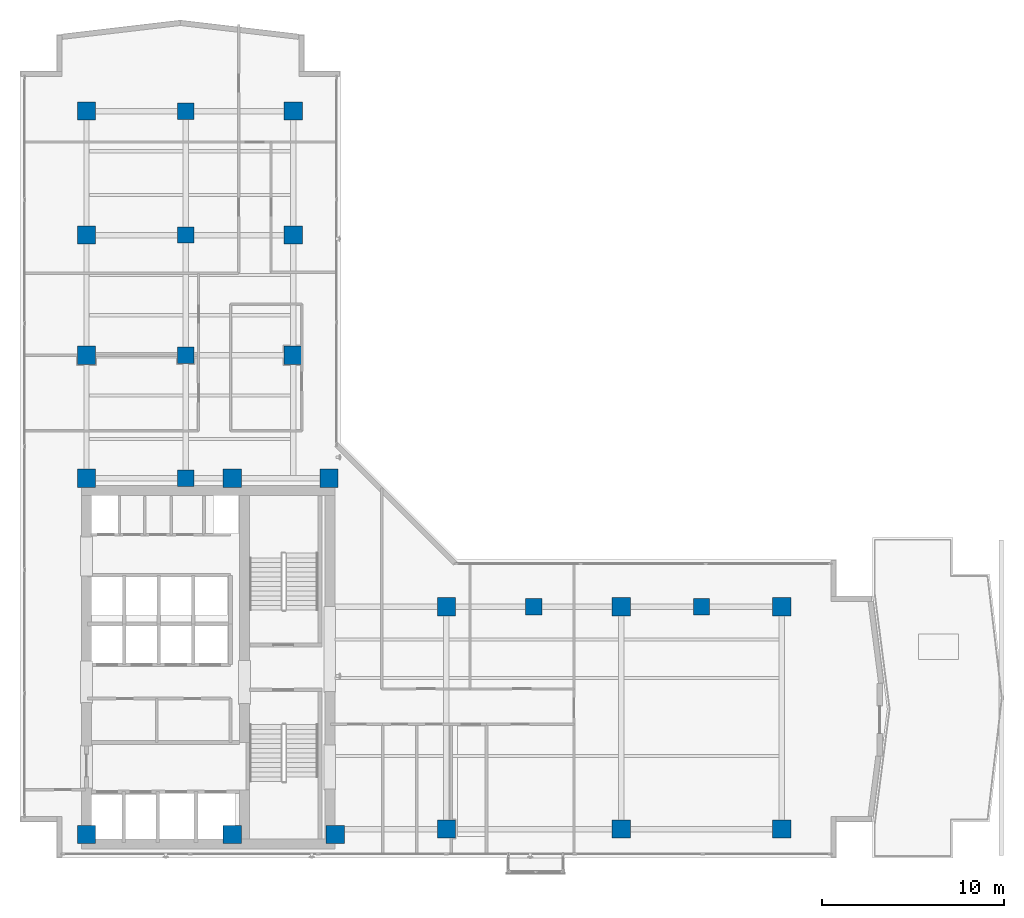
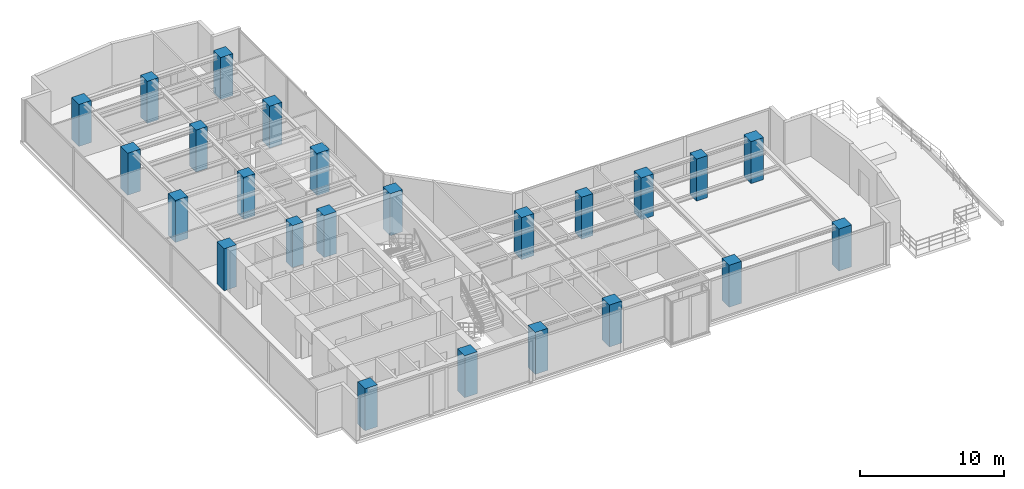
# One storey, part 1 of 25: 24 columns.
"""IFC4 building model written with IfcOpenShell, lengths in metres."""

from ifc_helpers import new_model, si_unit, direction, frame, origin, origin_2d, place, context, subcontext, project, spatial, rectangle, extrude, material, material_profile, profile_set, type_object, element, save


model = new_model("IFC4")

# Units and contexts
model_context = context("Model", 3, precision=1e-05, world=origin(), true_north=direction((0.0, 1.0)))
body_context = subcontext(model_context, "Body", "Model", "MODEL_VIEW")
ifc_project = project(units=[si_unit("LENGTHUNIT", "METRE"), si_unit("AREAUNIT", "SQUARE_METRE"), si_unit("VOLUMEUNIT", "CUBIC_METRE"), si_unit("PLANEANGLEUNIT", "RADIAN"), si_unit("MASSUNIT", "GRAM", prefix="KILO")], contexts=[model_context])

# Site, building, storey
site_placement = place(None, origin())
site = spatial("IfcSite", under=ifc_project, at=site_placement, CompositionType="ELEMENT")
building_placement = place(site_placement, origin())
building = spatial("IfcBuilding", under=site, at=building_placement, Name="Kolvaren Waterfront Exchange", CompositionType="ELEMENT")
storey_placement = place(building_placement, frame((0.0, 0.0, 204.5)))
storey = spatial("IfcBuildingStorey", under=building, at=storey_placement, Name="L52", CompositionType="ELEMENT", Elevation=204.5)

# Columns
ifc_material = material(Name="Concrete C50/60", Category="concrete")
ifc_material_profile_1 = material_profile(ifc_material, rectangle(XDim=1.0, YDim=1.0, at=origin_2d()), Name="RC-COL-1000x1000")
ifc_profile_set_1 = profile_set([ifc_material_profile_1], Name="Concrete C50/60")
column_type_1 = type_object("IfcColumnType", Name="STR-COL-1000-C50", PredefinedType="COLUMN", material=ifc_profile_set_1)
for number, where, z_axis, x_axis, name in (
    (1, (7.449951171875, 4.89990234375, 0.0), (0.0, 0.0, 1.0), (1.0, 0.0, 0.0), "L52 column MC01"),
    (2, (15.449951171875, 4.89990234375, 0.0), (0.0, 0.0, 1.0), (1.0, 0.0, 0.0), "L52 column MC02"),
    (3, (21.10009765625, 4.89990234375, 0.0), (0.0, 0.0, 1.0), (1.0, 0.0, 0.0), "L52 column MC03"),
    (4, (7.449951171875, 24.449951171875, 0.0), (0.0, 0.0, 1.0), (1.0, 0.0, 0.0), "L52 column MC04"),
    (5, (15.449951171875, 24.449951171875, 0.0), (0.0, 0.0, 1.0), (1.0, 0.0, 0.0), "L52 column MC05"),
    (6, (20.75, 24.449951171875, 0.0), (0.0, 0.0, 1.0), (1.0, 0.0, 0.0), "L52 column MC06"),
    (7, (7.449951171875, 31.199951171875, 0.0), (0.0, 0.0, 1.0), (1.0, 0.0, 0.0), "L52 column NC01"),
    (8, (7.449951171875, 37.800048828125, 0.0), (0.0, 0.0, 1.0), (1.0, 0.0, 0.0), "L52 column NC02"),
    (9, (7.449951171875, 44.60009765625, 0.0), (0.0, 0.0, 1.0), (1.0, 0.0, 0.0), "L52 column NC03"),
    (10, (18.800048828125, 31.199951171875, 0.0), (0.0, 0.0, 1.0), (1.0, 0.0, 0.0), "L52 column NC04"),
    (11, (18.800048828125, 37.800048828125, 0.0), (0.0, 0.0, 1.0), (1.0, 0.0, 0.0), "L52 column NC05"),
    (12, (18.800048828125, 44.60009765625, 0.0), (0.0, 0.0, 1.0), (1.0, 0.0, 0.0), "L52 column NC06"),
    (13, (27.199951171875, 5.199951171875, 0.0), (0.0, 0.0, 1.0), (1.0, 0.0, 0.0), "L52 column EC01"),
    (14, (36.800048828125, 5.199951171875, 0.0), (0.0, 0.0, 1.0), (1.0, 0.0, 0.0), "L52 column EC02"),
    (15, (45.60009765625, 5.199951171875, 0.0), (0.0, 0.0, 1.0), (1.0, 0.0, 0.0), "L52 column EC03"),
    (16, (27.199951171875, 17.39990234375, 0.0), (0.0, 0.0, 1.0), (1.0, 0.0, 0.0), "L52 column EC04"),
    (17, (36.800048828125, 17.39990234375, 0.0), (0.0, 0.0, 1.0), (1.0, 0.0, 0.0), "L52 column EC05"),
    (18, (45.60009765625, 17.39990234375, 0.0), (0.0, 0.0, 1.0), (1.0, 0.0, 0.0), "L52 column EC06"),
):
    element("IfcColumn", number, at=place(storey_placement, frame(where, z_axis=z_axis, x_axis=x_axis)), inside=storey, type_object=column_type_1, Name=name, PredefinedType="COLUMN", context=body_context, shape_type="SweptSolid", body=[
        extrude(rectangle(XDim=1.0, YDim=1.0, at=origin_2d()), origin(), (0.0, 0.0, 1.0), 3.56005859375),
    ])
ifc_material_profile_2 = material_profile(ifc_material, rectangle(XDim=0.89990234375, YDim=0.89990234375, at=origin_2d()), Name="RC-COL-900x900")
ifc_profile_set_2 = profile_set([ifc_material_profile_2], Name="Concrete C50/60")
column_type_2 = type_object("IfcColumnType", Name="STR-COL-900-C50", PredefinedType="COLUMN", material=ifc_profile_set_2)
for number, where, z_axis, x_axis, name in (
    (19, (12.89990234375, 24.449951171875, 0.0), (0.0, 0.0, 1.0), (1.0, 0.0, 0.0), "L52 column TC01"),
    (20, (12.89990234375, 31.199951171875, 0.0), (0.0, 0.0, 1.0), (1.0, 0.0, 0.0), "L52 column TC02"),
    (21, (12.89990234375, 37.800048828125, 0.0), (0.0, 0.0, 1.0), (1.0, 0.0, 0.0), "L52 column TC03"),
    (22, (12.89990234375, 44.60009765625, 0.0), (0.0, 0.0, 1.0), (1.0, 0.0, 0.0), "L52 column TC04"),
    (23, (32.0, 17.39990234375, 0.0), (0.0, 0.0, 1.0), (1.0, 0.0, 0.0), "L52 column TC05"),
    (24, (41.199951171875, 17.39990234375, 0.0), (0.0, 0.0, 1.0), (1.0, 0.0, 0.0), "L52 column TC06"),
):
    element("IfcColumn", number, at=place(storey_placement, frame(where, z_axis=z_axis, x_axis=x_axis)), inside=storey, type_object=column_type_2, Name=name, PredefinedType="COLUMN", context=body_context, shape_type="SweptSolid", body=[
        extrude(rectangle(XDim=0.89990234375, YDim=0.89990234375, at=origin_2d()), origin(), (0.0, 0.0, 1.0), 3.56005859375),
    ])

save(model, "model.ifc")
